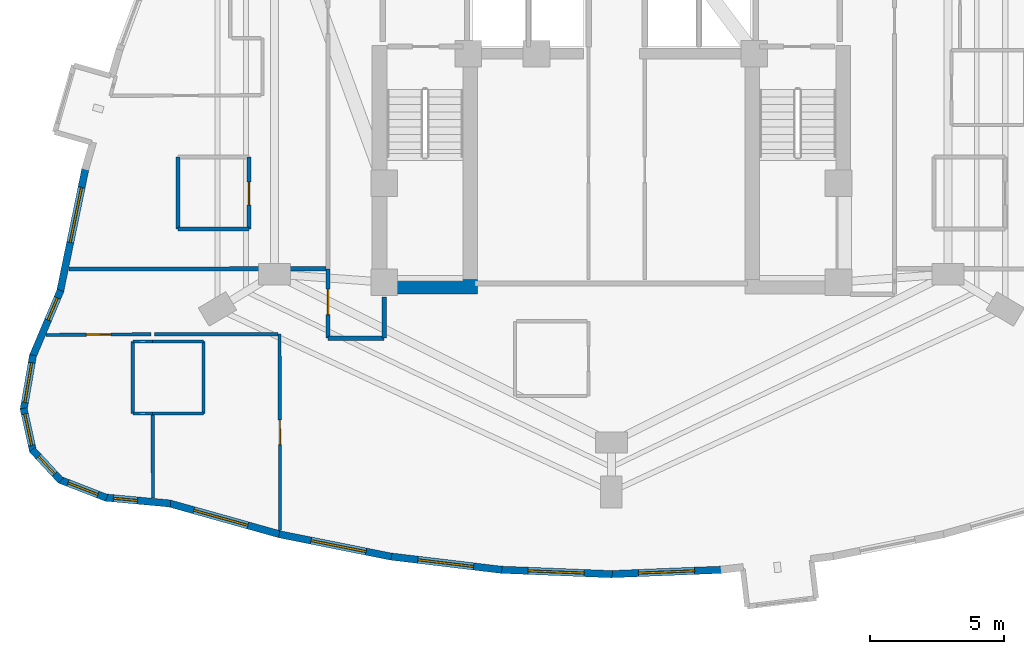
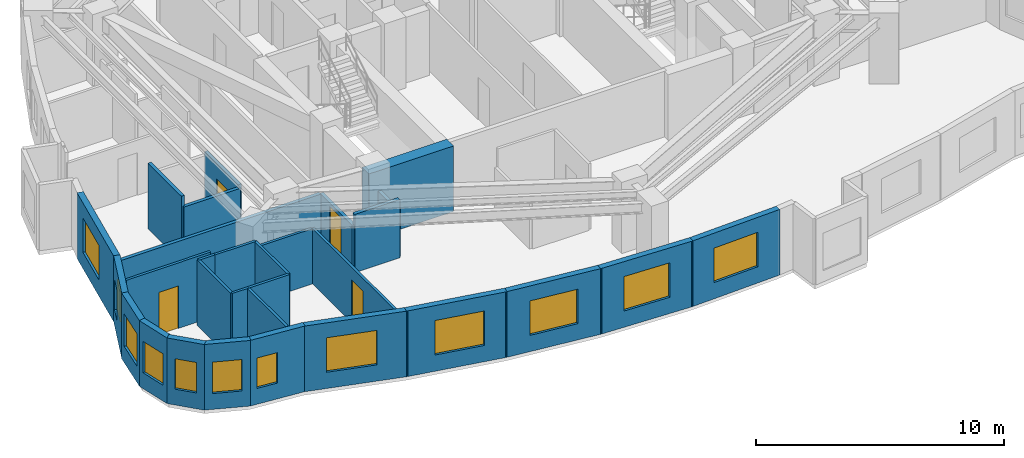
# One storey, part 8 of 14: 30 walls, 12 windows, 4 doors, 16 openings.
"""IFC4 building model written with IfcOpenShell, lengths in metres."""

from ifc_helpers import new_model, si_unit, direction, frame, frame_2d, origin, place, context, subcontext, project, spatial, rectangle, extrude, material, layer, layer_set, type_object, element, fill, save


model = new_model("IFC4")

# Units and contexts
model_context = context("Model", 3, precision=1e-05, world=origin(), true_north=direction((0.0, 1.0)))
body_context = subcontext(model_context, "Body", "Model", "MODEL_VIEW")
ifc_project = project(units=[si_unit("LENGTHUNIT", "METRE"), si_unit("AREAUNIT", "SQUARE_METRE"), si_unit("VOLUMEUNIT", "CUBIC_METRE"), si_unit("PLANEANGLEUNIT", "RADIAN"), si_unit("MASSUNIT", "GRAM", prefix="KILO")], contexts=[model_context])

# Site, building, storey
site_placement = place(None, origin())
site = spatial("IfcSite", under=ifc_project, at=site_placement, CompositionType="ELEMENT")
building_placement = place(site_placement, origin())
building = spatial("IfcBuilding", under=site, at=building_placement, Name="Miruveldt Soraemaru", CompositionType="ELEMENT")
storey_placement = place(building_placement, frame((0.0, 0.0, 114.39990234375)))
storey = spatial("IfcBuildingStorey", under=building, at=storey_placement, Name="L31", CompositionType="ELEMENT", Elevation=114.39990234375)

# Wall
ifc_material_1 = material(Name="Concrete C70/85 (70 MPa)", Category="concrete")
ifc_layer_1 = layer(ifc_material_1, 0.550048828125, Name="Concrete C70/85 (70 MPa)", Category="concrete")
ifc_layer_set_1 = layer_set([ifc_layer_1], Name="Concrete C70/85 (70 MPa)")
wall_type_1 = type_object("IfcWallType", Name="WALL-CW-550", PredefinedType="SHEAR", material=ifc_layer_set_1)
wall_1_placement = place(storey_placement, frame((35.050048828125, 35.324951171875, 0.0), z_axis=(0.0, 0.0, 1.0), x_axis=(1.0, 0.0, 0.0)))
element("IfcWall", 1, at=wall_1_placement, inside=storey, type_object=wall_type_1, Name="L31 Central Core Shear Wall S1", PredefinedType="SHEAR", context=body_context, shape_type="SweptSolid", body=[
    extrude(rectangle(XDim=3.949951171875, YDim=0.550048828125, at=frame_2d((1.97509765625, 0.0))), origin(), (0.0, 0.0, 1.0), 3.235107421875),
])

# Wall, opening, window
ifc_material_2 = material(Name="Precast concrete C45/55 (45 MPa)", Category="concrete")
ifc_layer_2 = layer(ifc_material_2, 0.27001953125, Name="Precast concrete C45/55 (45 MPa)", Category="concrete")
ifc_layer_set_2 = layer_set([ifc_layer_2], Name="Precast concrete C45/55 (45 MPa)")
wall_type_2 = type_object("IfcWallType", Name="WALL-EXT-PC270", PredefinedType="SOLIDWALL", material=ifc_layer_set_2)
wall_2_placement = place(storey_placement, frame((24.32568359375, 39.778564453125, 0.0), z_axis=(0.0, 0.0, 1.0), x_axis=(-0.201634082023, -0.979460921613, 0.0)))
wall_2 = element("IfcWall", 2, at=wall_2_placement, inside=storey, type_object=wall_type_2, Name="L31 Precast Concrete Facade Wall 14", PredefinedType="SOLIDWALL", context=body_context, shape_type="SweptSolid", body=[
    extrude(rectangle(XDim=4.753662109375, YDim=0.27001953125, at=frame_2d((2.376953125, 0.0))), origin(), (0.0, 0.0, 1.0), 3.235107421875),
])
opening_1_placement = place(wall_2_placement, frame((0.75, 0.0, 0.800048828125)))
opening_1 = element("IfcOpeningElement", 3, at=opening_1_placement, cuts=wall_2, Name="Opening WN-1", PredefinedType="OPENING", context=body_context, shape_type="SweptSolid", body=[
    extrude(rectangle(XDim=2.10009765625, YDim=1.699951171875, at=frame_2d((1.050048828125, 0.85009765625))), frame((0.0, 0.14501953125, 0.0), z_axis=(0.0, -1.0, 0.0), x_axis=(1.0, 0.0, 0.0)), (0.0, 0.0, 1.0), 0.2900390625),
])
ifc_material_3 = material(Name="Triple low-e insulated glazing", Category="glass")
window_type_1 = type_object("IfcWindowType", Name="WIN-PUNCH-2100x1700", PartitioningType="SINGLE_PANEL", PredefinedType="WINDOW", material=ifc_material_3)
window_1_placement = place(opening_1_placement, origin())
window_1 = element("IfcWindow", 4, at=window_1_placement, inside=storey, type_object=window_type_1, Name="L31 Punched Triple-Glazed Window 14.1", OverallHeight=1.699951171875, OverallWidth=2.10009765625, PartitioningType="SINGLE_PANEL", PredefinedType="WINDOW", context=body_context, shape_type="SweptSolid", body=[
    extrude(rectangle(XDim=2.10009765625, YDim=1.699951171875, at=frame_2d((1.050048828125, 0.85009765625))), frame((0.0, 0.030029296875, 0.0), z_axis=(0.0, -1.0, 0.0), x_axis=(1.0, 0.0, 0.0)), (0.0, 0.0, 1.0), 0.06005859375),
])
fill(opening_1, window_1)

wall_3_placement = place(storey_placement, frame((23.387939453125, 35.18896484375, 0.0), z_axis=(0.0, 0.0, 1.0), x_axis=(-0.388626230433, -0.921395492185, 0.0)))
wall_3 = element("IfcWall", 5, at=wall_3_placement, inside=storey, type_object=wall_type_2, Name="L31 Precast Concrete Facade Wall 15", PredefinedType="SOLIDWALL", context=body_context, shape_type="SweptSolid", body=[
    extrude(rectangle(XDim=2.703125, YDim=0.27001953125, at=frame_2d((1.3515625, 0.0))), origin(), (0.0, 0.0, 1.0), 3.235107421875),
])
opening_2_placement = place(wall_3_placement, frame((0.302001953125, 0.0, 0.780029296875)))
opening_2 = element("IfcOpeningElement", 6, at=opening_2_placement, cuts=wall_3, Name="Opening WN-7", PredefinedType="OPENING", context=body_context, shape_type="SweptSolid", body=[
    extrude(rectangle(XDim=0.89990234375, YDim=1.5, at=frame_2d((0.449951171875, 0.75))), frame((0.0, 0.14501953125, 0.0), z_axis=(0.0, -1.0, 0.0), x_axis=(1.0, 0.0, 0.0)), (0.0, 0.0, 1.0), 0.2900390625),
])
window_type_2 = type_object("IfcWindowType", Name="WIN-PUNCH-900x1500", PartitioningType="SINGLE_PANEL", PredefinedType="WINDOW", material=ifc_material_3)
window_2_placement = place(opening_2_placement, origin())
window_2 = element("IfcWindow", 7, at=window_2_placement, inside=storey, type_object=window_type_2, Name="L31 Punched Triple-Glazed Window 15.1", OverallHeight=1.5, OverallWidth=0.89990234375, PartitioningType="SINGLE_PANEL", PredefinedType="WINDOW", context=body_context, shape_type="SweptSolid", body=[
    extrude(rectangle(XDim=0.89990234375, YDim=1.5, at=frame_2d((0.449951171875, 0.75))), frame((0.0, 0.030029296875, 0.0), z_axis=(0.0, -1.0, 0.0), x_axis=(1.0, 0.0, 0.0)), (0.0, 0.0, 1.0), 0.06005859375),
])
fill(opening_2, window_2)

wall_4_placement = place(storey_placement, frame((22.35693359375, 32.764892578125, 0.0), z_axis=(0.0, 0.0, 1.0), x_axis=(-0.16937343878, -0.985551945986, 0.0)))
wall_4 = element("IfcWall", 8, at=wall_4_placement, inside=storey, type_object=wall_type_2, Name="L31 Precast Concrete Facade Wall 16", PredefinedType="SOLIDWALL", context=body_context, shape_type="SweptSolid", body=[
    extrude(rectangle(XDim=2.084228515625, YDim=0.27001953125, at=frame_2d((1.0419921875, 0.0))), origin(), (0.0, 0.0, 1.0), 3.235107421875),
])
opening_3_placement = place(wall_4_placement, frame((0.2919921875, 0.0, 0.800048828125)))
opening_3 = element("IfcOpeningElement", 9, at=opening_3_placement, cuts=wall_4, Name="Opening WN-3", PredefinedType="OPENING", context=body_context, shape_type="SweptSolid", body=[
    extrude(rectangle(XDim=1.5, YDim=1.60009765625, at=frame_2d((0.75, 0.800048828125))), frame((0.0, 0.14501953125, 0.0), z_axis=(0.0, -1.0, 0.0), x_axis=(1.0, 0.0, 0.0)), (0.0, 0.0, 1.0), 0.2900390625),
])
window_type_3 = type_object("IfcWindowType", Name="WIN-PUNCH-1500x1600", PartitioningType="SINGLE_PANEL", PredefinedType="WINDOW", material=ifc_material_3)
window_3_placement = place(opening_3_placement, origin())
window_3 = element("IfcWindow", 10, at=window_3_placement, inside=storey, type_object=window_type_3, Name="L31 Punched Triple-Glazed Window 16.1", OverallHeight=1.60009765625, OverallWidth=1.5, PartitioningType="SINGLE_PANEL", PredefinedType="WINDOW", context=body_context, shape_type="SweptSolid", body=[
    extrude(rectangle(XDim=1.5, YDim=1.60009765625, at=frame_2d((0.75, 0.800048828125))), frame((0.0, 0.030029296875, 0.0), z_axis=(0.0, -1.0, 0.0), x_axis=(1.0, 0.0, 0.0)), (0.0, 0.0, 1.0), 0.06005859375),
])
fill(opening_3, window_3)

wall_5_placement = place(storey_placement, frame((22.002197265625, 30.779296875, 0.0), z_axis=(0.0, 0.0, 1.0), x_axis=(0.215865785232, -0.976423044979, 0.0)))
wall_5 = element("IfcWall", 11, at=wall_5_placement, inside=storey, type_object=wall_type_2, Name="L31 Precast Concrete Facade Wall 17", PredefinedType="SOLIDWALL", context=body_context, shape_type="SweptSolid", body=[
    extrude(rectangle(XDim=1.651123046875, YDim=0.27001953125, at=frame_2d((0.82568359375, 0.0))), origin(), (0.0, 0.0, 1.0), 3.235107421875),
])
opening_4_placement = place(wall_5_placement, frame((0.22607421875, 0.0, 0.780029296875)))
opening_4 = element("IfcOpeningElement", 12, at=opening_4_placement, cuts=wall_5, Name="Opening WN-4", PredefinedType="OPENING", context=body_context, shape_type="SweptSolid", body=[
    extrude(rectangle(XDim=1.199951171875, YDim=1.550048828125, at=frame_2d((0.60009765625, 0.77490234375))), frame((0.0, 0.14501953125, 0.0), z_axis=(0.0, -1.0, 0.0), x_axis=(1.0, 0.0, 0.0)), (0.0, 0.0, 1.0), 0.2900390625),
])
window_type_4 = type_object("IfcWindowType", Name="WIN-PUNCH-1200x1550", PartitioningType="SINGLE_PANEL", PredefinedType="WINDOW", material=ifc_material_3)
window_4_placement = place(opening_4_placement, origin())
window_4 = element("IfcWindow", 13, at=window_4_placement, inside=storey, type_object=window_type_4, Name="L31 Punched Triple-Glazed Window 17.1", OverallHeight=1.550048828125, OverallWidth=1.199951171875, PartitioningType="SINGLE_PANEL", PredefinedType="WINDOW", context=body_context, shape_type="SweptSolid", body=[
    extrude(rectangle(XDim=1.199951171875, YDim=1.550048828125, at=frame_2d((0.60009765625, 0.77490234375))), frame((0.0, 0.030029296875, 0.0), z_axis=(0.0, -1.0, 0.0), x_axis=(1.0, 0.0, 0.0)), (0.0, 0.0, 1.0), 0.06005859375),
])
fill(opening_4, window_4)

wall_6_placement = place(storey_placement, frame((22.327392578125, 29.226806640625, 0.0), z_axis=(0.0, 0.0, 1.0), x_axis=(0.680094167745, -0.733124766325, 0.0)))
wall_6 = element("IfcWall", 14, at=wall_6_placement, inside=storey, type_object=wall_type_2, Name="L31 Precast Concrete Facade Wall 18", PredefinedType="SOLIDWALL", context=body_context, shape_type="SweptSolid", body=[
    extrude(rectangle(XDim=1.574462890625, YDim=0.27001953125, at=frame_2d((0.787109375, 0.0))), origin(), (0.0, 0.0, 1.0), 3.235107421875),
])
opening_5_placement = place(wall_6_placement, frame((0.3369140625, 0.0, 0.780029296875)))
opening_5 = element("IfcOpeningElement", 15, at=opening_5_placement, cuts=wall_6, Name="Opening WN-7", PredefinedType="OPENING", context=body_context, shape_type="SweptSolid", body=[
    extrude(rectangle(XDim=0.89990234375, YDim=1.5, at=frame_2d((0.449951171875, 0.75))), frame((0.0, 0.14501953125, 0.0), z_axis=(0.0, -1.0, 0.0), x_axis=(1.0, 0.0, 0.0)), (0.0, 0.0, 1.0), 0.2900390625),
])
window_5_placement = place(opening_5_placement, origin())
window_5 = element("IfcWindow", 16, at=window_5_placement, inside=storey, type_object=window_type_2, Name="L31 Punched Triple-Glazed Window 18.1", OverallHeight=1.5, OverallWidth=0.89990234375, PartitioningType="SINGLE_PANEL", PredefinedType="WINDOW", context=body_context, shape_type="SweptSolid", body=[
    extrude(rectangle(XDim=0.89990234375, YDim=1.5, at=frame_2d((0.449951171875, 0.75))), frame((0.0, 0.030029296875, 0.0), z_axis=(0.0, -1.0, 0.0), x_axis=(1.0, 0.0, 0.0)), (0.0, 0.0, 1.0), 0.06005859375),
])
fill(opening_5, window_5)

wall_7_placement = place(storey_placement, frame((23.341796875, 28.11083984375, 0.0), z_axis=(0.0, 0.0, 1.0), x_axis=(0.932248087426, -0.361819711306, 0.0)))
wall_7 = element("IfcWall", 17, at=wall_7_placement, inside=storey, type_object=wall_type_2, Name="L31 Precast Concrete Facade Wall 19", PredefinedType="SOLIDWALL", context=body_context, shape_type="SweptSolid", body=[
    extrude(rectangle(XDim=1.8994140625, YDim=0.27001953125, at=frame_2d((0.94970703125, 0.0))), origin(), (0.0, 0.0, 1.0), 3.235107421875),
])
opening_6_placement = place(wall_7_placement, frame((0.35009765625, 0.0, 0.780029296875)))
opening_6 = element("IfcOpeningElement", 18, at=opening_6_placement, cuts=wall_7, Name="Opening WN-4", PredefinedType="OPENING", context=body_context, shape_type="SweptSolid", body=[
    extrude(rectangle(XDim=1.199951171875, YDim=1.550048828125, at=frame_2d((0.60009765625, 0.77490234375))), frame((0.0, 0.14501953125, 0.0), z_axis=(0.0, -1.0, 0.0), x_axis=(1.0, 0.0, 0.0)), (0.0, 0.0, 1.0), 0.2900390625),
])
window_6_placement = place(opening_6_placement, origin())
window_6 = element("IfcWindow", 19, at=window_6_placement, inside=storey, type_object=window_type_4, Name="L31 Punched Triple-Glazed Window 19.1", OverallHeight=1.550048828125, OverallWidth=1.199951171875, PartitioningType="SINGLE_PANEL", PredefinedType="WINDOW", context=body_context, shape_type="SweptSolid", body=[
    extrude(rectangle(XDim=1.199951171875, YDim=1.550048828125, at=frame_2d((0.60009765625, 0.77490234375))), frame((0.0, 0.030029296875, 0.0), z_axis=(0.0, -1.0, 0.0), x_axis=(1.0, 0.0, 0.0)), (0.0, 0.0, 1.0), 0.06005859375),
])
fill(opening_6, window_6)

wall_8_placement = place(storey_placement, frame((25.045166015625, 27.439697265625, 0.0), z_axis=(0.0, 0.0, 1.0), x_axis=(0.995759153727, -0.091998411779, 0.0)))
wall_8 = element("IfcWall", 20, at=wall_8_placement, inside=storey, type_object=wall_type_2, Name="L31 Precast Concrete Facade Wall 20", PredefinedType="SOLIDWALL", context=body_context, shape_type="SweptSolid", body=[
    extrude(rectangle(XDim=2.468017578125, YDim=0.27001953125, at=frame_2d((1.23388671875, 0.0))), origin(), (0.0, 0.0, 1.0), 3.235107421875),
])
opening_7_placement = place(wall_8_placement, frame((0.325927734375, 0.0, 0.780029296875)))
opening_7 = element("IfcOpeningElement", 21, at=opening_7_placement, cuts=wall_8, Name="Opening WN-7", PredefinedType="OPENING", context=body_context, shape_type="SweptSolid", body=[
    extrude(rectangle(XDim=0.89990234375, YDim=1.5, at=frame_2d((0.449951171875, 0.75))), frame((0.0, 0.14501953125, 0.0), z_axis=(0.0, -1.0, 0.0), x_axis=(1.0, 0.0, 0.0)), (0.0, 0.0, 1.0), 0.2900390625),
])
window_7_placement = place(opening_7_placement, origin())
window_7 = element("IfcWindow", 22, at=window_7_placement, inside=storey, type_object=window_type_2, Name="L31 Punched Triple-Glazed Window 20.1", OverallHeight=1.5, OverallWidth=0.89990234375, PartitioningType="SINGLE_PANEL", PredefinedType="WINDOW", context=body_context, shape_type="SweptSolid", body=[
    extrude(rectangle(XDim=0.89990234375, YDim=1.5, at=frame_2d((0.449951171875, 0.75))), frame((0.0, 0.030029296875, 0.0), z_axis=(0.0, -1.0, 0.0), x_axis=(1.0, 0.0, 0.0)), (0.0, 0.0, 1.0), 0.06005859375),
])
fill(opening_7, window_7)

wall_9_placement = place(storey_placement, frame((27.43408203125, 27.225341796875, 0.0), z_axis=(0.0, 0.0, 1.0), x_axis=(0.962969832435, -0.269609164943, 0.0)))
wall_9 = element("IfcWall", 23, at=wall_9_placement, inside=storey, type_object=wall_type_2, Name="L31 Precast Concrete Facade Wall 21", PredefinedType="SOLIDWALL", context=body_context, shape_type="SweptSolid", body=[
    extrude(rectangle(XDim=4.362060546875, YDim=0.27001953125, at=frame_2d((2.18115234375, 0.0))), origin(), (0.0, 0.0, 1.0), 3.235107421875),
])
opening_8_placement = place(wall_9_placement, frame((0.97412109375, 0.0, 0.800048828125)))
opening_8 = element("IfcOpeningElement", 24, at=opening_8_placement, cuts=wall_9, Name="Opening WN-1", PredefinedType="OPENING", context=body_context, shape_type="SweptSolid", body=[
    extrude(rectangle(XDim=2.10009765625, YDim=1.699951171875, at=frame_2d((1.050048828125, 0.85009765625))), frame((0.0, 0.14501953125, 0.0), z_axis=(0.0, -1.0, 0.0), x_axis=(1.0, 0.0, 0.0)), (0.0, 0.0, 1.0), 0.2900390625),
])
window_8_placement = place(opening_8_placement, origin())
window_8 = element("IfcWindow", 25, at=window_8_placement, inside=storey, type_object=window_type_1, Name="L31 Punched Triple-Glazed Window 21.1", OverallHeight=1.699951171875, OverallWidth=2.10009765625, PartitioningType="SINGLE_PANEL", PredefinedType="WINDOW", context=body_context, shape_type="SweptSolid", body=[
    extrude(rectangle(XDim=2.10009765625, YDim=1.699951171875, at=frame_2d((1.050048828125, 0.85009765625))), frame((0.0, 0.030029296875, 0.0), z_axis=(0.0, -1.0, 0.0), x_axis=(1.0, 0.0, 0.0)), (0.0, 0.0, 1.0), 0.06005859375),
])
fill(opening_8, window_8)

wall_10_placement = place(storey_placement, frame((31.566650390625, 26.0654296875, 0.0), z_axis=(0.0, 0.0, 1.0), x_axis=(0.980580675691, -0.196116135138, 0.0)))
wall_10 = element("IfcWall", 26, at=wall_10_placement, inside=storey, type_object=wall_type_2, Name="L31 Precast Concrete Facade Wall 22", PredefinedType="SOLIDWALL", context=body_context, shape_type="SweptSolid", body=[
    extrude(rectangle(XDim=4.284912109375, YDim=0.27001953125, at=frame_2d((2.142578125, 0.0))), origin(), (0.0, 0.0, 1.0), 3.235107421875),
])
opening_9_placement = place(wall_10_placement, frame((1.217041015625, 0.0, 0.800048828125)))
opening_9 = element("IfcOpeningElement", 27, at=opening_9_placement, cuts=wall_10, Name="Opening WN-1", PredefinedType="OPENING", context=body_context, shape_type="SweptSolid", body=[
    extrude(rectangle(XDim=2.10009765625, YDim=1.699951171875, at=frame_2d((1.050048828125, 0.85009765625))), frame((0.0, 0.14501953125, 0.0), z_axis=(0.0, -1.0, 0.0), x_axis=(1.0, 0.0, 0.0)), (0.0, 0.0, 1.0), 0.2900390625),
])
window_9_placement = place(opening_9_placement, origin())
window_9 = element("IfcWindow", 28, at=window_9_placement, inside=storey, type_object=window_type_1, Name="L31 Punched Triple-Glazed Window 22.1", OverallHeight=1.699951171875, OverallWidth=2.10009765625, PartitioningType="SINGLE_PANEL", PredefinedType="WINDOW", context=body_context, shape_type="SweptSolid", body=[
    extrude(rectangle(XDim=2.10009765625, YDim=1.699951171875, at=frame_2d((1.050048828125, 0.85009765625))), frame((0.0, 0.030029296875, 0.0), z_axis=(0.0, -1.0, 0.0), x_axis=(1.0, 0.0, 0.0)), (0.0, 0.0, 1.0), 0.06005859375),
])
fill(opening_9, window_9)

wall_11_placement = place(storey_placement, frame((35.69921875, 25.236083984375, 0.0), z_axis=(0.0, 0.0, 1.0), x_axis=(0.992874654914, -0.119163415653, 0.0)))
wall_11 = element("IfcWall", 29, at=wall_11_placement, inside=storey, type_object=wall_type_2, Name="L31 Precast Concrete Facade Wall 23", PredefinedType="SOLIDWALL", context=body_context, shape_type="SweptSolid", body=[
    extrude(rectangle(XDim=4.23291015625, YDim=0.27001953125, at=frame_2d((2.116455078125, 0.0))), origin(), (0.0, 0.0, 1.0), 3.235107421875),
])
opening_10_placement = place(wall_11_placement, frame((1.06591796875, 0.0, 0.800048828125)))
opening_10 = element("IfcOpeningElement", 30, at=opening_10_placement, cuts=wall_11, Name="Opening WN-1", PredefinedType="OPENING", context=body_context, shape_type="SweptSolid", body=[
    extrude(rectangle(XDim=2.10009765625, YDim=1.699951171875, at=frame_2d((1.050048828125, 0.85009765625))), frame((0.0, 0.14501953125, 0.0), z_axis=(0.0, -1.0, 0.0), x_axis=(1.0, 0.0, 0.0)), (0.0, 0.0, 1.0), 0.2900390625),
])
window_10_placement = place(opening_10_placement, origin())
window_10 = element("IfcWindow", 31, at=window_10_placement, inside=storey, type_object=window_type_1, Name="L31 Punched Triple-Glazed Window 23.1", OverallHeight=1.699951171875, OverallWidth=2.10009765625, PartitioningType="SINGLE_PANEL", PredefinedType="WINDOW", context=body_context, shape_type="SweptSolid", body=[
    extrude(rectangle(XDim=2.10009765625, YDim=1.699951171875, at=frame_2d((1.050048828125, 0.85009765625))), frame((0.0, 0.030029296875, 0.0), z_axis=(0.0, -1.0, 0.0), x_axis=(1.0, 0.0, 0.0)), (0.0, 0.0, 1.0), 0.06005859375),
])
fill(opening_10, window_10)

wall_12_placement = place(storey_placement, frame((39.83203125, 24.7373046875, 0.0), z_axis=(0.0, 0.0, 1.0), x_axis=(0.999202348913, -0.039933268432, 0.0)))
wall_12 = element("IfcWall", 32, at=wall_12_placement, inside=storey, type_object=wall_type_2, Name="L31 Precast Concrete Facade Wall 24", PredefinedType="SOLIDWALL", context=body_context, shape_type="SweptSolid", body=[
    extrude(rectangle(XDim=4.206298828125, YDim=0.27001953125, at=frame_2d((2.10302734375, 0.0))), origin(), (0.0, 0.0, 1.0), 3.235107421875),
])
opening_11_placement = place(wall_12_placement, frame((1.052978515625, 0.0, 0.800048828125)))
opening_11 = element("IfcOpeningElement", 33, at=opening_11_placement, cuts=wall_12, Name="Opening WN-1", PredefinedType="OPENING", context=body_context, shape_type="SweptSolid", body=[
    extrude(rectangle(XDim=2.10009765625, YDim=1.699951171875, at=frame_2d((1.050048828125, 0.85009765625))), frame((0.0, 0.14501953125, 0.0), z_axis=(0.0, -1.0, 0.0), x_axis=(1.0, 0.0, 0.0)), (0.0, 0.0, 1.0), 0.2900390625),
])
window_11_placement = place(opening_11_placement, origin())
window_11 = element("IfcWindow", 34, at=window_11_placement, inside=storey, type_object=window_type_1, Name="L31 Punched Triple-Glazed Window 24.1", OverallHeight=1.699951171875, OverallWidth=2.10009765625, PartitioningType="SINGLE_PANEL", PredefinedType="WINDOW", context=body_context, shape_type="SweptSolid", body=[
    extrude(rectangle(XDim=2.10009765625, YDim=1.699951171875, at=frame_2d((1.050048828125, 0.85009765625))), frame((0.0, 0.030029296875, 0.0), z_axis=(0.0, -1.0, 0.0), x_axis=(1.0, 0.0, 0.0)), (0.0, 0.0, 1.0), 0.06005859375),
])
fill(opening_11, window_11)

wall_13_placement = place(storey_placement, frame((43.965087890625, 24.5693359375, 0.0), z_axis=(0.0, 0.0, 1.0), x_axis=(0.999202348913, 0.039933268432, 0.0)))
wall_13 = element("IfcWall", 35, at=wall_13_placement, inside=storey, type_object=wall_type_2, Name="L31 Precast Concrete Facade Wall 25", PredefinedType="SOLIDWALL", context=body_context, shape_type="SweptSolid", body=[
    extrude(rectangle(XDim=4.206298828125, YDim=0.27001953125, at=frame_2d((2.10302734375, 0.0))), origin(), (0.0, 0.0, 1.0), 3.235107421875),
])
opening_12_placement = place(wall_13_placement, frame((1.052978515625, 0.0, 0.800048828125)))
opening_12 = element("IfcOpeningElement", 36, at=opening_12_placement, cuts=wall_13, Name="Opening WN-1", PredefinedType="OPENING", context=body_context, shape_type="SweptSolid", body=[
    extrude(rectangle(XDim=2.10009765625, YDim=1.699951171875, at=frame_2d((1.050048828125, 0.85009765625))), frame((0.0, 0.14501953125, 0.0), z_axis=(0.0, -1.0, 0.0), x_axis=(1.0, 0.0, 0.0)), (0.0, 0.0, 1.0), 0.2900390625),
])
window_12_placement = place(opening_12_placement, origin())
window_12 = element("IfcWindow", 37, at=window_12_placement, inside=storey, type_object=window_type_1, Name="L31 Punched Triple-Glazed Window 25.1", OverallHeight=1.699951171875, OverallWidth=2.10009765625, PartitioningType="SINGLE_PANEL", PredefinedType="WINDOW", context=body_context, shape_type="SweptSolid", body=[
    extrude(rectangle(XDim=2.10009765625, YDim=1.699951171875, at=frame_2d((1.050048828125, 0.85009765625))), frame((0.0, 0.030029296875, 0.0), z_axis=(0.0, -1.0, 0.0), x_axis=(1.0, 0.0, 0.0)), (0.0, 0.0, 1.0), 0.06005859375),
])
fill(opening_12, window_12)

# Wall, opening, door
ifc_material_4 = material(Name="Gypsum plasterboard lining", Category="gypsum")
ifc_layer_3 = layer(ifc_material_4, 0.1201171875, Name="Gypsum plasterboard lining", Category="gypsum")
ifc_layer_set_3 = layer_set([ifc_layer_3], Name="Gypsum plasterboard lining")
wall_type_3 = type_object("IfcWallType", Name="WALL-INT-P120", PredefinedType="PARTITIONING", material=ifc_layer_set_3)
wall_14_placement = place(storey_placement, frame((31.5849609375, 33.550048828125, 0.0), z_axis=(0.0, 0.0, 1.0), x_axis=(0.002595837899, -0.999996630807, 0.0)))
wall_14 = element("IfcWall", 38, at=wall_14_placement, inside=storey, type_object=wall_type_3, Name="L31 Partition Wall 69", PredefinedType="PARTITIONING", context=body_context, shape_type="SweptSolid", body=[
    extrude(rectangle(XDim=7.3359375, YDim=0.1201171875, at=frame_2d((3.66796875, 0.0))), origin(), (0.0, 0.0, 1.0), 2.72314453125),
])
opening_13_placement = place(wall_14_placement, frame((3.2080078125, 0.0, 0.0)))
opening_13 = element("IfcOpeningElement", 39, at=opening_13_placement, cuts=wall_14, Name="Opening D3A", PredefinedType="OPENING", context=body_context, shape_type="SweptSolid", body=[
    extrude(rectangle(XDim=0.919921875, YDim=2.10009765625, at=frame_2d((0.4599609375, 1.050048828125))), frame((0.0, 0.070068359375, 0.0), z_axis=(0.0, -1.0, 0.0), x_axis=(1.0, 0.0, 0.0)), (0.0, 0.0, 1.0), 0.14013671875),
])
ifc_material_5 = material(Name="Anodised aluminium EN AW-6063 T6", Category="aluminium")
door_type_1 = type_object("IfcDoorType", Name="DOOR-INT-920", OperationType="NOTDEFINED", PredefinedType="DOOR", material=ifc_material_5)
door_1_placement = place(opening_13_placement, origin())
door_1 = element("IfcDoor", 40, at=door_1_placement, inside=storey, type_object=door_type_1, Name="L31 Unit 3105 BD2 Door", OperationType="SINGLE_SWING_LEFT", OverallHeight=2.10009765625, OverallWidth=0.919921875, PredefinedType="DOOR", context=body_context, shape_type="SweptSolid", body=[
    extrude(rectangle(XDim=0.919921875, YDim=2.10009765625, at=frame_2d((0.4599609375, 1.050048828125))), frame((0.0, 0.02490234375, 0.0), z_axis=(0.0, -1.0, 0.0), x_axis=(1.0, 0.0, 0.0)), (0.0, 0.0, 1.0), 0.050048828125),
])
fill(opening_13, door_1)

wall_15_placement = place(storey_placement, frame((22.847900390625, 33.52294921875, 0.0), z_axis=(0.0, 0.0, 1.0), x_axis=(0.999976228498, 0.006895102582, 0.0)))
wall_15 = element("IfcWall", 41, at=wall_15_placement, inside=storey, type_object=wall_type_3, Name="L31 Partition Wall 67", PredefinedType="PARTITIONING", context=body_context, shape_type="SweptSolid", body=[
    extrude(rectangle(XDim=3.93017578125, YDim=0.1201171875, at=frame_2d((1.965087890625, 0.0))), origin(), (0.0, 0.0, 1.0), 3.235107421875),
])
opening_14_placement = place(wall_15_placement, frame((1.5048828125, 0.0, 0.0)))
opening_14 = element("IfcOpeningElement", 42, at=opening_14_placement, cuts=wall_15, Name="Opening D3A", PredefinedType="OPENING", context=body_context, shape_type="SweptSolid", body=[
    extrude(rectangle(XDim=0.919921875, YDim=2.10009765625, at=frame_2d((0.4599609375, 1.050048828125))), frame((0.0, 0.070068359375, 0.0), z_axis=(0.0, -1.0, 0.0), x_axis=(1.0, 0.0, 0.0)), (0.0, 0.0, 1.0), 0.14013671875),
])
door_2_placement = place(opening_14_placement, origin())
door_2 = element("IfcDoor", 43, at=door_2_placement, inside=storey, type_object=door_type_1, Name="L31 Unit 3105 BD1 Door", OperationType="SINGLE_SWING_RIGHT", OverallHeight=2.10009765625, OverallWidth=0.919921875, PredefinedType="DOOR", context=body_context, shape_type="SweptSolid", body=[
    extrude(rectangle(XDim=0.919921875, YDim=2.10009765625, at=frame_2d((0.4599609375, 1.050048828125))), frame((0.0, 0.02490234375, 0.0), z_axis=(0.0, -1.0, 0.0), x_axis=(1.0, 0.0, 0.0)), (0.0, 0.0, 1.0), 0.050048828125),
])
fill(opening_14, door_2)

# Walls
wall_16_placement = place(storey_placement, frame((26.89794921875, 33.550048828125, 0.0), z_axis=(0.0, 0.0, 1.0), x_axis=(1.0, 0.0, 0.0)))
element("IfcWall", 44, at=wall_16_placement, inside=storey, type_object=wall_type_3, Name="L31 Partition Wall 68", PredefinedType="PARTITIONING", context=body_context, shape_type="SweptSolid", body=[
    extrude(rectangle(XDim=4.626953125, YDim=0.1201171875, at=frame_2d((2.3134765625, 0.0))), origin(), (0.0, 0.0, 1.0), 2.72314453125),
])
wall_17_placement = place(storey_placement, frame((26.843994140625, 27.424072265625, 0.0), z_axis=(0.0, 0.0, 1.0), x_axis=(-0.001932139527, 0.999998133417, 0.0)))
element("IfcWall", 45, at=wall_17_placement, inside=storey, type_object=wall_type_3, Name="L31 Partition Wall 70", PredefinedType="PARTITIONING", context=body_context, shape_type="SweptSolid", body=[
    extrude(rectangle(XDim=3.158935546875, YDim=0.1201171875, at=frame_2d((1.57958984375, 0.0))), origin(), (0.0, 0.0, 1.0), 3.235107421875),
])
for number, where, z_axis, x_axis, name in (
    (46, (26.090087890625, 33.282958984375, 0.0), (0.0, 0.0, 1.0), (0.0, -1.0, 0.0), "L31 Partition Wall 73"),
    (47, (28.739990234375, 30.5830078125, 0.0), (0.0, 0.0, 1.0), (0.0, 1.0, 0.0), "L31 Partition Wall 76"),
):
    element("IfcWall", number, at=place(storey_placement, frame(where, z_axis=z_axis, x_axis=x_axis)), inside=storey, type_object=wall_type_3, Name=name, PredefinedType="PARTITIONING", context=body_context, shape_type="SweptSolid", body=[
        extrude(rectangle(XDim=2.699951171875, YDim=0.1201171875, at=frame_2d((1.35009765625, 0.0))), origin(), (0.0, 0.0, 1.0), 3.235107421875),
    ])
for number, where, z_axis, x_axis, name in (
    (48, (26.837890625, 30.5830078125, 0.0), (0.0, 0.0, 1.0), (1.0, 0.0, 0.0), "L31 Partition Wall 75"),
    (49, (28.739990234375, 33.282958984375, 0.0), (0.0, 0.0, 1.0), (-1.0, 0.0, 0.0), "L31 Partition Wall 77"),
):
    element("IfcWall", number, at=place(storey_placement, frame(where, z_axis=z_axis, x_axis=x_axis)), inside=storey, type_object=wall_type_3, Name=name, PredefinedType="PARTITIONING", context=body_context, shape_type="SweptSolid", body=[
        extrude(rectangle(XDim=1.902099609375, YDim=0.1201171875, at=frame_2d((0.951171875, 0.0))), origin(), (0.0, 0.0, 1.0), 3.235107421875),
    ])
for number, where, z_axis, x_axis, name in (
    (50, (26.837890625, 33.282958984375, 0.0), (0.0, 0.0, 1.0), (-1.0, 0.0, 0.0), "L31 Partition Wall 72"),
    (51, (26.090087890625, 30.5830078125, 0.0), (0.0, 0.0, 1.0), (1.0, 0.0, 0.0), "L31 Partition Wall 74"),
):
    element("IfcWall", number, at=place(storey_placement, frame(where, z_axis=z_axis, x_axis=x_axis)), inside=storey, type_object=wall_type_3, Name=name, PredefinedType="PARTITIONING", context=body_context, shape_type="SweptSolid", body=[
        extrude(rectangle(XDim=0.747802734375, YDim=0.1201171875, at=frame_2d((0.3740234375, 0.0))), origin(), (0.0, 0.0, 1.0), 3.235107421875),
    ])

# Wall, opening, door
ifc_layer_4 = layer(ifc_material_4, 0.14990234375, Name="Gypsum plasterboard lining", Category="gypsum")
ifc_layer_set_4 = layer_set([ifc_layer_4], Name="Gypsum plasterboard lining")
wall_type_4 = type_object("IfcWallType", Name="WALL-INT-PLUMB", PredefinedType="PLUMBINGWALL", material=ifc_layer_set_4)
wall_18_placement = place(storey_placement, frame((30.43798828125, 37.47998046875, 0.0), z_axis=(0.0, 0.0, 1.0), x_axis=(0.0, 1.0, 0.0)))
wall_18 = element("IfcWall", 52, at=wall_18_placement, inside=storey, type_object=wall_type_4, Name="L31 Partition Wall 36", PredefinedType="PLUMBINGWALL", context=body_context, shape_type="SweptSolid", body=[
    extrude(rectangle(XDim=2.699951171875, YDim=0.14990234375, at=frame_2d((1.35009765625, 0.0))), origin(), (0.0, 0.0, 1.0), 2.873046875),
])
opening_15_placement = place(wall_18_placement, frame((0.909912109375, 0.0, 0.0)))
opening_15 = element("IfcOpeningElement", 53, at=opening_15_placement, cuts=wall_18, Name="Opening FD3", PredefinedType="OPENING", context=body_context, shape_type="SweptSolid", body=[
    extrude(rectangle(XDim=0.85009765625, YDim=2.10009765625, at=frame_2d((0.425048828125, 1.050048828125))), frame((0.0, 0.0849609375, 0.0), z_axis=(0.0, -1.0, 0.0), x_axis=(1.0, 0.0, 0.0)), (0.0, 0.0, 1.0), 0.169921875),
])
door_type_2 = type_object("IfcDoorType", Name="DOOR-FD3-850", OperationType="NOTDEFINED", PredefinedType="DOOR", material=ifc_material_5)
door_3_placement = place(opening_15_placement, origin())
door_3 = element("IfcDoor", 54, at=door_3_placement, inside=storey, type_object=door_type_2, Name="L31 Unit 3103 BTH Door", OperationType="SINGLE_SWING_RIGHT", OverallHeight=2.10009765625, OverallWidth=0.85009765625, PredefinedType="DOOR", context=body_context, shape_type="SweptSolid", body=[
    extrude(rectangle(XDim=0.85009765625, YDim=2.10009765625, at=frame_2d((0.425048828125, 1.050048828125))), frame((0.0, 0.02490234375, 0.0), z_axis=(0.0, -1.0, 0.0), x_axis=(1.0, 0.0, 0.0)), (0.0, 0.0, 1.0), 0.050048828125),
])
fill(opening_15, door_3)

# Walls
wall_19_placement = place(storey_placement, frame((27.7880859375, 40.179931640625, 0.0), z_axis=(0.0, 0.0, 1.0), x_axis=(0.0, -1.0, 0.0)))
element("IfcWall", 55, at=wall_19_placement, inside=storey, type_object=wall_type_4, Name="L31 Partition Wall 38", PredefinedType="PLUMBINGWALL", context=body_context, shape_type="SweptSolid", body=[
    extrude(rectangle(XDim=2.699951171875, YDim=0.14990234375, at=frame_2d((1.35009765625, 0.0))), origin(), (0.0, 0.0, 1.0), 3.235107421875),
])
wall_20_placement = place(storey_placement, frame((27.7880859375, 37.47998046875, 0.0), z_axis=(0.0, 0.0, 1.0), x_axis=(1.0, 0.0, 0.0)))
element("IfcWall", 56, at=wall_20_placement, inside=storey, type_object=wall_type_4, Name="L31 Partition Wall 39", PredefinedType="PLUMBINGWALL", context=body_context, shape_type="SweptSolid", body=[
    extrude(rectangle(XDim=2.64990234375, YDim=0.14990234375, at=frame_2d((1.324951171875, 0.0))), origin(), (0.0, 0.0, 1.0), 2.72314453125),
])

# Wall, opening, door
ifc_material_6 = material(Name="Concrete C40/50 (40 MPa)", Category="concrete")
ifc_layer_5 = layer(ifc_material_6, 0.159912109375, Name="Concrete C40/50 (40 MPa)", Category="concrete")
ifc_layer_set_5 = layer_set([ifc_layer_5], Name="Concrete C40/50 (40 MPa)")
wall_type_5 = type_object("IfcWallType", Name="WALL-INT-RC160", PredefinedType="SOLIDWALL", material=ifc_layer_set_5)
wall_21_placement = place(storey_placement, frame((33.39990234375, 35.993896484375, 0.0), z_axis=(0.0, 0.0, 1.0), x_axis=(0.0, -1.0, 0.0)))
wall_21 = element("IfcWall", 57, at=wall_21_placement, inside=storey, type_object=wall_type_5, Name="L31 Partition Wall 5", PredefinedType="SOLIDWALL", context=body_context, shape_type="SweptSolid", body=[
    extrude(rectangle(XDim=2.593994140625, YDim=0.159912109375, at=frame_2d((1.296875, 0.0))), origin(), (0.0, 0.0, 1.0), 2.322998046875),
])
opening_16_placement = place(wall_21_placement, frame((0.760009765625, 0.0, 0.0)))
opening_16 = element("IfcOpeningElement", 58, at=opening_16_placement, cuts=wall_21, Name="Opening FD2", PredefinedType="OPENING", context=body_context, shape_type="SweptSolid", body=[
    extrude(rectangle(XDim=0.949951171875, YDim=2.14990234375, at=frame_2d((0.47509765625, 1.074951171875))), frame((0.0, 0.08984375, 0.0), z_axis=(0.0, -1.0, 0.0), x_axis=(1.0, 0.0, 0.0)), (0.0, 0.0, 1.0), 0.179931640625),
])
door_type_3 = type_object("IfcDoorType", Name="DOOR-FD2-950", OperationType="NOTDEFINED", PredefinedType="DOOR", material=ifc_material_5)
door_4_placement = place(opening_16_placement, origin())
door_4 = element("IfcDoor", 59, at=door_4_placement, inside=storey, type_object=door_type_3, Name="L31 Unit 3105 Entrance Fire Door", OperationType="SINGLE_SWING_RIGHT", OverallHeight=2.14990234375, OverallWidth=0.949951171875, PredefinedType="DOOR", context=body_context, shape_type="SweptSolid", body=[
    extrude(rectangle(XDim=0.949951171875, YDim=2.14990234375, at=frame_2d((0.47509765625, 1.074951171875))), frame((0.0, 0.02490234375, 0.0), z_axis=(0.0, -1.0, 0.0), x_axis=(1.0, 0.0, 0.0)), (0.0, 0.0, 1.0), 0.050048828125),
])
fill(opening_16, door_4)

# Walls
wall_22_placement = place(storey_placement, frame((23.697998046875, 35.987060546875, 0.0), z_axis=(0.0, 0.0, 1.0), x_axis=(0.999999094652, 0.001345620434, 0.0)))
element("IfcWall", 60, at=wall_22_placement, inside=storey, type_object=wall_type_5, Name="L31 Partition Wall 48", PredefinedType="SOLIDWALL", context=body_context, shape_type="SweptSolid", body=[
    extrude(rectangle(XDim=9.615966796875, YDim=0.159912109375, at=frame_2d((4.80810546875, 0.0))), origin(), (0.0, 0.0, 1.0), 2.322998046875),
])
wall_23_placement = place(storey_placement, frame((33.39990234375, 33.39990234375, 0.0), z_axis=(0.0, 0.0, 1.0), x_axis=(1.0, 0.0, 0.0)))
element("IfcWall", 61, at=wall_23_placement, inside=storey, type_object=wall_type_5, Name="L31 Partition Wall 6", PredefinedType="SOLIDWALL", context=body_context, shape_type="SweptSolid", body=[
    extrude(rectangle(XDim=2.10009765625, YDim=0.159912109375, at=frame_2d((1.050048828125, 0.0))), origin(), (0.0, 0.0, 1.0), 2.873046875),
])
wall_24_placement = place(storey_placement, frame((35.5, 33.39990234375, 0.0), z_axis=(0.0, 0.0, 1.0), x_axis=(0.0, 1.0, 0.0)))
element("IfcWall", 62, at=wall_24_placement, inside=storey, type_object=wall_type_5, Name="L31 Partition Wall 7", PredefinedType="SOLIDWALL", context=body_context, shape_type="SweptSolid", body=[
    extrude(rectangle(XDim=1.544189453125, YDim=0.159912109375, at=frame_2d((0.77197265625, 0.0))), origin(), (0.0, 0.0, 1.0), 2.322998046875),
])

save(model, "model.ifc")
